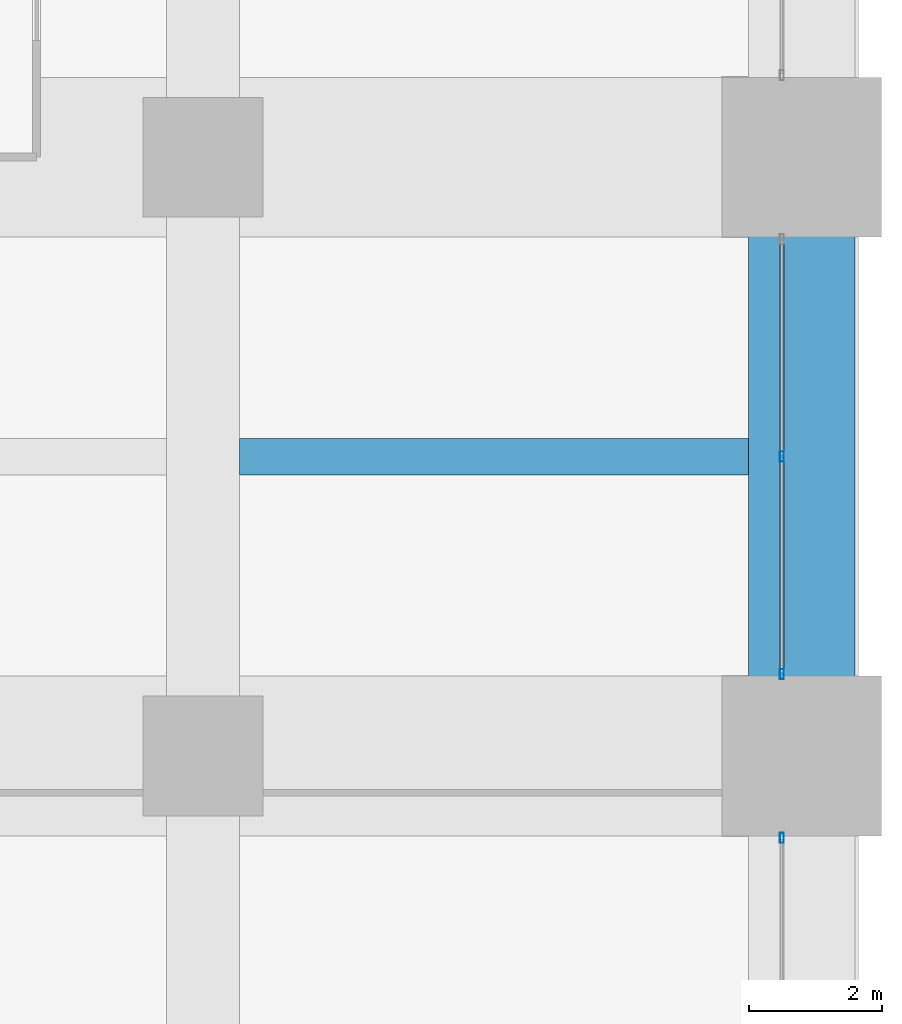
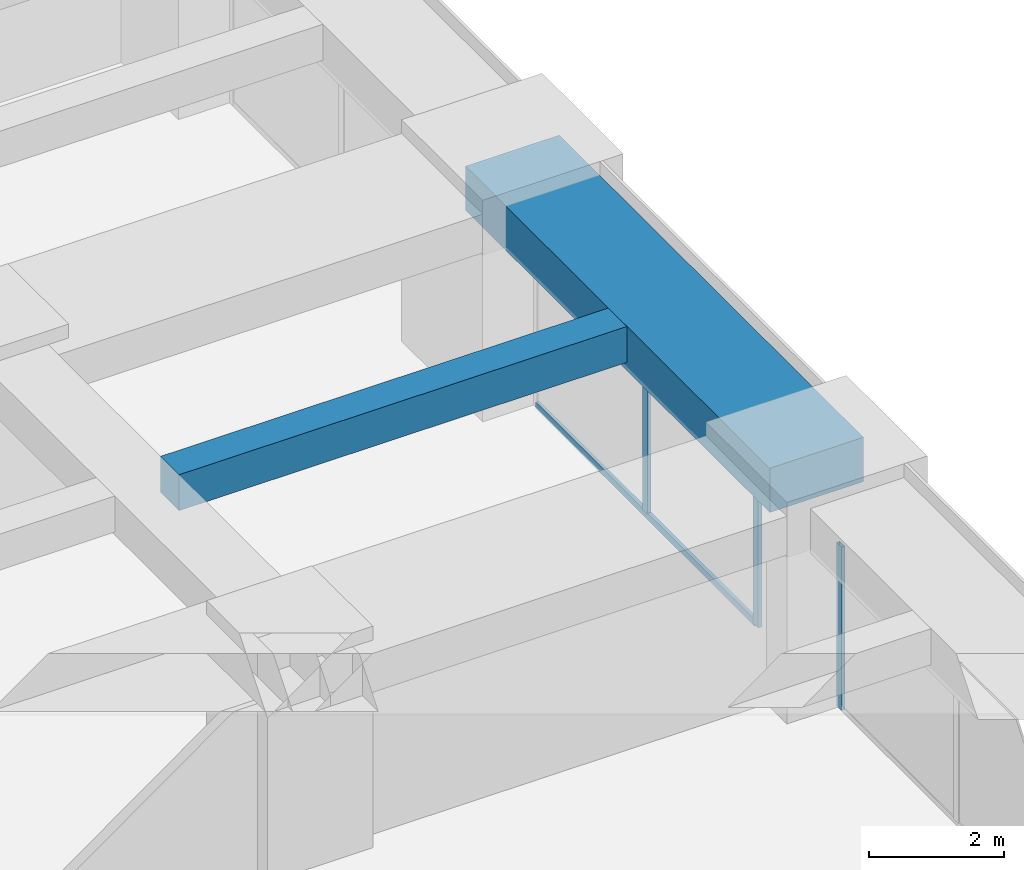
# One storey, part 21 of 42: 4 members, 2 beams, 2 elements without a shape of their own.
"""IFC4 building model written with IfcOpenShell, lengths in metres."""

from ifc_helpers import new_model, si_unit, direction, frame, origin, origin_2d, place, context, subcontext, project, spatial, rectangle, hollow_rectangle, extrude, material, material_profile, profile_set, type_object, element, aggregate, save


model = new_model("IFC4")

# Units and contexts
model_context = context("Model", 3, precision=1e-05, world=origin(), true_north=direction((0.0, 1.0)))
body_context = subcontext(model_context, "Body", "Model", "MODEL_VIEW")
ifc_project = project(units=[si_unit("LENGTHUNIT", "METRE"), si_unit("AREAUNIT", "SQUARE_METRE"), si_unit("VOLUMEUNIT", "CUBIC_METRE"), si_unit("PLANEANGLEUNIT", "RADIAN"), si_unit("MASSUNIT", "GRAM", prefix="KILO")], contexts=[model_context])

# Site, building, storey
site_placement = place(None, origin())
site = spatial("IfcSite", under=ifc_project, at=site_placement, CompositionType="ELEMENT")
building_placement = place(site_placement, origin())
building = spatial("IfcBuilding", under=site, at=building_placement, Name="Zorevar Civic Tower", CompositionType="ELEMENT")
storey_placement = place(building_placement, frame((0.0, 0.0, 149.0)))
storey = spatial("IfcBuildingStorey", under=building, at=storey_placement, Name="L36", CompositionType="ELEMENT", Elevation=149.0)

# Beam
ifc_material_1 = material(Name="Concrete C50/60", Category="concrete")
ifc_material_profile_1 = material_profile(ifc_material_1, rectangle(XDim=0.550048828125, YDim=0.64990234375, at=origin_2d()), Name="RC 550x650")
ifc_profile_set_1 = profile_set([ifc_material_profile_1], Name="Concrete C50/60")
beam_type_1 = type_object("IfcBeamType", Name="Beam RC 550x650", PredefinedType="BEAM", material=ifc_profile_set_1)
beam_1_placement = place(storey_placement, frame((54.550048828125, 22.5, 3.425048828125), z_axis=(1.0, 0.0, 0.0), x_axis=(0.0, 1.0, 0.0)))
element("IfcBeam", 1, at=beam_1_placement, inside=storey, type_object=beam_type_1, Name="Secondary beam L37", PredefinedType="BEAM", context=body_context, shape_type="SweptSolid", body=[
    extrude(rectangle(XDim=0.550048828125, YDim=0.64990234375, at=origin_2d()), origin(), (0.0, 0.0, 1.0), 7.64990234375),
])

# Curtain wall, member
ifc_material_2 = material(Name="Dark grey solar-control glass in black aluminium frame", Category="aluminium")
curtain_wall_type = type_object("IfcCurtainWallType", Name="Curtain wall CW3 mid zone", PredefinedType="NOTDEFINED", material=ifc_material_2)
curtain_wall_1_placement = place(storey_placement, origin())
curtain_wall_1 = element("IfcCurtainWall", 2, at=curtain_wall_1_placement, inside=storey, type_object=curtain_wall_type, Name="CW3 L36", PredefinedType="NOTDEFINED")
ifc_material_3 = material(Name="Aluminium, black anodised", Category="aluminium")
ifc_material_profile_2 = material_profile(ifc_material_3, hollow_rectangle(XDim=0.06005859375, YDim=0.14990234375, WallThickness=0.00390625, at=origin_2d()), Name="AL 150x60x4")
ifc_profile_set_2 = profile_set([ifc_material_profile_2], Name="Aluminium, black anodised")
member_type_1 = type_object("IfcMemberType", Name="CW3 mullion AL 150x60x4", PredefinedType="MULLION", material=ifc_profile_set_2)
member_1_placement = place(storey_placement, frame((62.699951171875, 16.77001953125, 0.0), z_axis=(0.0, 0.0, 1.0), x_axis=(-1.0, 0.0, 0.0)))
member_1 = element("IfcMember", 3, at=member_1_placement, type_object=member_type_1, Name="CW3 mullion 3", PredefinedType="MULLION", context=body_context, shape_type="SweptSolid", body=[
    extrude(hollow_rectangle(XDim=0.06005859375, YDim=0.14990234375, WallThickness=0.00390625, at=origin_2d()), origin(), (0.0, 0.0, 1.0), 2.949951171875),
])
aggregate(curtain_wall_1, [member_1])

# Curtain wall, members
curtain_wall_2_placement = place(storey_placement, origin())
curtain_wall_2 = element("IfcCurtainWall", 4, at=curtain_wall_2_placement, inside=storey, type_object=curtain_wall_type, Name="CW3 L36", PredefinedType="NOTDEFINED")
member_2_placement = place(storey_placement, frame((62.699951171875, 19.22998046875, 0.0), z_axis=(0.0, 0.0, 1.0), x_axis=(-1.0, 0.0, 0.0)))
member_2 = element("IfcMember", 5, at=member_2_placement, type_object=member_type_1, Name="CW3 mullion 1", PredefinedType="MULLION", context=body_context, shape_type="SweptSolid", body=[
    extrude(hollow_rectangle(XDim=0.06005859375, YDim=0.14990234375, WallThickness=0.00390625, at=origin_2d()), origin(), (0.0, 0.0, 1.0), 2.949951171875),
])
member_3_placement = place(storey_placement, frame((62.699951171875, 22.5, 0.06005859375), z_axis=(0.0, 0.0, 1.0), x_axis=(-1.0, 0.0, 0.0)))
member_3 = element("IfcMember", 6, at=member_3_placement, type_object=member_type_1, Name="CW3 mullion 2", PredefinedType="MULLION", context=body_context, shape_type="SweptSolid", body=[
    extrude(hollow_rectangle(XDim=0.06005859375, YDim=0.14990234375, WallThickness=0.00390625, at=origin_2d()), origin(), (0.0, 0.0, 1.0), 2.889892578125),
])
ifc_material_4 = material(Name="Aluminium, black anodised", Category="aluminium")
ifc_material_profile_3 = material_profile(ifc_material_4, hollow_rectangle(XDim=0.06005859375, YDim=0.1201171875, WallThickness=0.0029296875, at=origin_2d()), Name="AL 120x60x3")
ifc_profile_set_3 = profile_set([ifc_material_profile_3], Name="Aluminium, black anodised")
member_type_2 = type_object("IfcMemberType", Name="CW3 transom AL 120x60x3", PredefinedType="USERDEFINED", material=ifc_profile_set_3)
member_4_placement = place(storey_placement, frame((62.699951171875, 19.260009765625, 0.030029296875), z_axis=(0.0, 1.0, 0.0), x_axis=(-1.0, 0.0, 0.0)))
member_4 = element("IfcMember", 7, at=member_4_placement, type_object=member_type_2, Name="CW3 sill transom", ObjectType="TRANSOM", PredefinedType="USERDEFINED", context=body_context, shape_type="SweptSolid", body=[
    extrude(hollow_rectangle(XDim=0.06005859375, YDim=0.1201171875, WallThickness=0.0029296875, at=origin_2d()), origin(), (0.0, 0.0, 1.0), 6.47998046875),
])
aggregate(curtain_wall_2, [member_2, member_3, member_4])

# Beam
ifc_material_5 = material(Name="Concrete C50/60", Category="concrete")
ifc_material_profile_4 = material_profile(ifc_material_5, rectangle(XDim=1.60009765625, YDim=0.800048828125, at=origin_2d()), Name="RC 1600x800")
ifc_profile_set_4 = profile_set([ifc_material_profile_4], Name="Concrete C50/60")
beam_type_2 = type_object("IfcBeamType", Name="Edge beam RC 1600x800", PredefinedType="SPANDREL", material=ifc_profile_set_4)
beam_2_placement = place(storey_placement, frame((63.0, 18.0, 3.35009765625), z_axis=(0.0, 1.0, 0.0), x_axis=(-1.0, 0.0, 0.0)))
element("IfcBeam", 8, at=beam_2_placement, inside=storey, type_object=beam_type_2, Name="Edge beam L37", PredefinedType="SPANDREL", context=body_context, shape_type="SweptSolid", body=[
    extrude(rectangle(XDim=1.60009765625, YDim=0.800048828125, at=origin_2d()), origin(), (0.0, 0.0, 1.0), 9.0),
])

save(model, "model.ifc")
